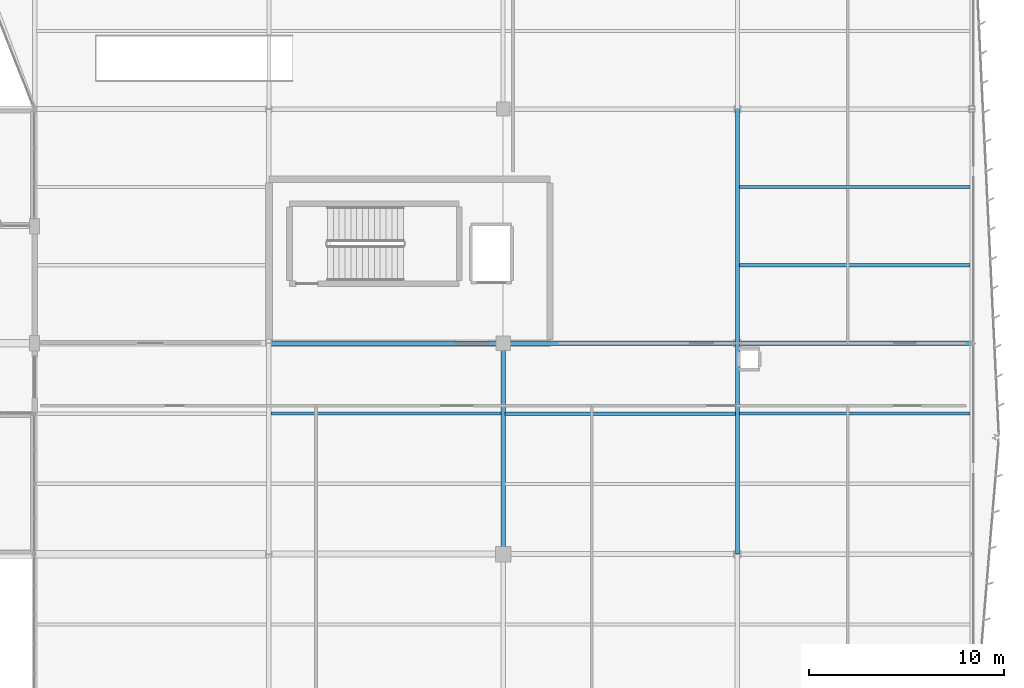
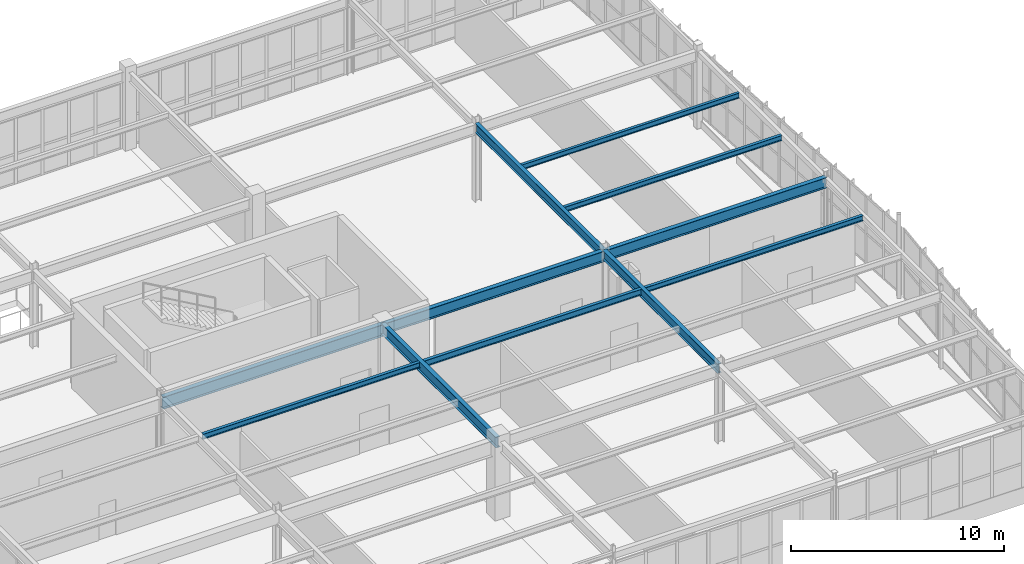
# One storey, part 112 of 226: 11 beams.
"""IFC4 building model written with IfcOpenShell, lengths in metres."""

from ifc_helpers import new_model, si_unit, direction, frame, origin, origin_2d, place, context, subcontext, project, spatial, i_section, extrude, material, material_profile, profile_set, type_object, element, save


model = new_model("IFC4")

# Units and contexts
model_context = context("Model", 3, precision=1e-05, world=origin(), true_north=direction((0.0, 1.0)))
body_context = subcontext(model_context, "Body", "Model", "MODEL_VIEW")
ifc_project = project(units=[si_unit("LENGTHUNIT", "METRE"), si_unit("AREAUNIT", "SQUARE_METRE"), si_unit("VOLUMEUNIT", "CUBIC_METRE"), si_unit("PLANEANGLEUNIT", "RADIAN"), si_unit("MASSUNIT", "GRAM", prefix="KILO")], contexts=[model_context])

# Site, building, storey
site_placement = place(None, origin())
site = spatial("IfcSite", under=ifc_project, at=site_placement, CompositionType="ELEMENT")
building_placement = place(site_placement, origin())
building = spatial("IfcBuilding", under=site, at=building_placement, Name="Tarnwether General Hospital", CompositionType="ELEMENT")
storey_placement = place(building_placement, frame((0.0, 0.0, 4.800048828125)))
storey = spatial("IfcBuildingStorey", under=building, at=storey_placement, Name="L01", CompositionType="ELEMENT", Elevation=4.800048828125)

# Beams
ifc_material_1 = material(Name="Steel Grade 350 (350 MPa)", Category="steel")
ifc_material_profile_1 = material_profile(ifc_material_1, i_section(OverallWidth=0.25, OverallDepth=0.69189453125, WebThickness=0.009033203125, FlangeThickness=0.01611328125, at=origin_2d()), Name="700WB115")
ifc_profile_set_1 = profile_set([ifc_material_profile_1], Name="Steel Grade 350 (350 MPa)")
beam_type_1 = type_object("IfcBeamType", Name="BM-G02", PredefinedType="BEAM", material=ifc_profile_set_1)
beam_1_placement = place(storey_placement, frame((156.0, 21.60009765625, 4.098876953125), z_axis=(1.0, 0.0, 0.0), x_axis=(0.0, 1.0, 0.0)))
element("IfcBeam", 1, at=beam_1_placement, inside=storey, type_object=beam_type_1, Name="Primary Girder BMG-L01-15600_2160-16800_2160-1235", PredefinedType="BEAM", context=body_context, shape_type="SweptSolid", body=[
    extrude(i_section(OverallWidth=0.25, OverallDepth=0.69189453125, WebThickness=0.009033203125, FlangeThickness=0.01611328125, at=origin_2d()), origin(), (0.0, 0.0, 1.0), 12.0),
])
ifc_material_2 = material(Name="Steel Grade 350 (350 MPa)", Category="steel")
ifc_material_profile_2 = material_profile(ifc_material_2, i_section(OverallWidth=0.22900390625, OverallDepth=0.612060546875, WebThickness=0.011962890625, FlangeThickness=0.01953125, at=origin_2d()), Name="610UB125")
ifc_profile_set_2 = profile_set([ifc_material_profile_2], Name="Steel Grade 350 (350 MPa)")
beam_type_2 = type_object("IfcBeamType", Name="BM-G03", PredefinedType="BEAM", material=ifc_profile_set_2)
beam_2_placement = place(storey_placement, frame((168.0, 21.60009765625, 4.138916015625), z_axis=(1.0, 0.0, 0.0), x_axis=(0.0, 1.0, 0.0)))
element("IfcBeam", 2, at=beam_2_placement, inside=storey, type_object=beam_type_2, Name="Primary Girder BMG-L01-16800_2160-18000_2160-1253", PredefinedType="BEAM", context=body_context, shape_type="SweptSolid", body=[
    extrude(i_section(OverallWidth=0.22900390625, OverallDepth=0.612060546875, WebThickness=0.011962890625, FlangeThickness=0.01953125, at=origin_2d()), origin(), (0.0, 0.0, 1.0), 12.0),
])
ifc_material_3 = material(Name="Steel Grade 350 (350 MPa)", Category="steel")
ifc_material_profile_3 = material_profile(ifc_material_3, i_section(OverallWidth=0.22802734375, OverallDepth=0.60693359375, WebThickness=0.01123046875, FlangeThickness=0.017333984375, at=origin_2d()), Name="610UB113")
ifc_profile_set_3 = profile_set([ifc_material_profile_3], Name="Steel Grade 350 (350 MPa)")
beam_type_3 = type_object("IfcBeamType", Name="BM-G04", PredefinedType="BEAM", material=ifc_profile_set_3)
beam_3_placement = place(storey_placement, frame((180.0, 21.60009765625, 4.141357421875), z_axis=(1.0, 0.0, 0.0), x_axis=(0.0, 1.0, 0.0)))
element("IfcBeam", 3, at=beam_3_placement, inside=storey, type_object=beam_type_3, Name="Primary Girder BMG-L01-18000_2160-19200_2160-1269", PredefinedType="BEAM", context=body_context, shape_type="SweptSolid", body=[
    extrude(i_section(OverallWidth=0.22802734375, OverallDepth=0.60693359375, WebThickness=0.01123046875, FlangeThickness=0.017333984375, at=origin_2d()), origin(), (0.0, 0.0, 1.0), 12.0),
])
ifc_material_4 = material(Name="Steel Grade 350 (350 MPa)", Category="steel")
ifc_material_profile_4 = material_profile(ifc_material_4, i_section(OverallWidth=0.22802734375, OverallDepth=0.60205078125, WebThickness=0.010498046875, FlangeThickness=0.014892578125, at=origin_2d()), Name="610UB101")
ifc_profile_set_4 = profile_set([ifc_material_profile_4], Name="Steel Grade 350 (350 MPa)")
beam_type_4 = type_object("IfcBeamType", Name="BM-G05", PredefinedType="BEAM", material=ifc_profile_set_4)
beam_4_placement = place(storey_placement, frame((168.0, 10.800048828125, 4.14404296875), z_axis=(0.0, 1.0, 0.0), x_axis=(-1.0, 0.0, 0.0)))
element("IfcBeam", 4, at=beam_4_placement, inside=storey, type_object=beam_type_4, Name="Primary Girder BMG-L01-16800_1080-16800_2160-1252", PredefinedType="BEAM", context=body_context, shape_type="SweptSolid", body=[
    extrude(i_section(OverallWidth=0.22802734375, OverallDepth=0.60205078125, WebThickness=0.010498046875, FlangeThickness=0.014892578125, at=origin_2d()), origin(), (0.0, 0.0, 1.0), 10.800048828125),
])
ifc_material_5 = material(Name="Steel Grade 350 (350 MPa)", Category="steel")
ifc_material_profile_5 = material_profile(ifc_material_5, i_section(OverallWidth=0.208984375, OverallDepth=0.532958984375, WebThickness=0.01025390625, FlangeThickness=0.015625, at=origin_2d()), Name="530UB92.4")
ifc_profile_set_5 = profile_set([ifc_material_profile_5], Name="Steel Grade 350 (350 MPa)")
beam_type_5 = type_object("IfcBeamType", Name="BM-G06", PredefinedType="BEAM", material=ifc_profile_set_5)
beam_5_placement = place(storey_placement, frame((180.0, 10.800048828125, 4.178466796875), z_axis=(0.0, 1.0, 0.0), x_axis=(-1.0, 0.0, 0.0)))
element("IfcBeam", 5, at=beam_5_placement, inside=storey, type_object=beam_type_5, Name="Primary Girder BMG-L01-18000_1080-18000_2160-1268", PredefinedType="BEAM", context=body_context, shape_type="SweptSolid", body=[
    extrude(i_section(OverallWidth=0.208984375, OverallDepth=0.532958984375, WebThickness=0.01025390625, FlangeThickness=0.015625, at=origin_2d()), origin(), (0.0, 0.0, 1.0), 10.800048828125),
])
ifc_material_6 = material(Name="Steel Grade 350 (350 MPa)", Category="steel")
ifc_material_profile_6 = material_profile(ifc_material_6, i_section(OverallWidth=0.208984375, OverallDepth=0.528076171875, WebThickness=0.009521484375, FlangeThickness=0.01318359375, at=origin_2d()), Name="530UB82.0")
ifc_profile_set_6 = profile_set([ifc_material_profile_6], Name="Steel Grade 350 (350 MPa)")
beam_type_6 = type_object("IfcBeamType", Name="BM-G07", PredefinedType="BEAM", material=ifc_profile_set_6)
beam_6_placement = place(storey_placement, frame((180.0, 21.60009765625, 4.180908203125), z_axis=(0.0, 1.0, 0.0), x_axis=(-1.0, 0.0, 0.0)))
element("IfcBeam", 6, at=beam_6_placement, inside=storey, type_object=beam_type_6, Name="Primary Girder BMG-L01-18000_2160-18000_3360-1270", PredefinedType="BEAM", context=body_context, shape_type="SweptSolid", body=[
    extrude(i_section(OverallWidth=0.208984375, OverallDepth=0.528076171875, WebThickness=0.009521484375, FlangeThickness=0.01318359375, at=origin_2d()), origin(), (0.0, 0.0, 1.0), 12.0),
])
ifc_material_7 = material(Name="Steel Grade 350 (350 MPa)", Category="steel")
ifc_material_profile_7 = material_profile(ifc_material_7, i_section(OverallWidth=0.166015625, OverallDepth=0.306884765625, WebThickness=0.006591796875, FlangeThickness=0.01171875, at=origin_2d()), Name="310UB46.2")
ifc_profile_set_7 = profile_set([ifc_material_profile_7], Name="Steel Grade 350 (350 MPa)")
beam_type_7 = type_object("IfcBeamType", Name="BM-J05", PredefinedType="JOIST", material=ifc_profile_set_7)
beam_7_placement = place(storey_placement, frame((156.10791015625, 18.0, 4.29150390625), z_axis=(1.0, 0.0, 0.0), x_axis=(0.0, 1.0, 0.0)))
element("IfcBeam", 7, at=beam_7_placement, inside=storey, type_object=beam_type_7, Name="Composite Floor Joist BMG-L01-15611_1800-16789_1800-1404", PredefinedType="JOIST", context=body_context, shape_type="SweptSolid", body=[
    extrude(i_section(OverallWidth=0.166015625, OverallDepth=0.306884765625, WebThickness=0.006591796875, FlangeThickness=0.01171875, at=origin_2d()), origin(), (0.0, 0.0, 1.0), 11.7841796875),
])
ifc_material_8 = material(Name="Steel Grade 350 (350 MPa)", Category="steel")
ifc_material_profile_8 = material_profile(ifc_material_8, i_section(OverallWidth=0.1708984375, OverallDepth=0.35205078125, WebThickness=0.0068359375, FlangeThickness=0.009765625, at=origin_2d()), Name="360UB44.7")
ifc_profile_set_8 = profile_set([ifc_material_profile_8], Name="Steel Grade 350 (350 MPa)")
beam_type_8 = type_object("IfcBeamType", Name="BM-J06", PredefinedType="JOIST", material=ifc_profile_set_8)
beam_8_placement = place(storey_placement, frame((168.10791015625, 18.0, 4.26904296875), z_axis=(1.0, 0.0, 0.0), x_axis=(0.0, 1.0, 0.0)))
element("IfcBeam", 8, at=beam_8_placement, inside=storey, type_object=beam_type_8, Name="Composite Floor Joist BMG-L01-16811_1800-17990_1800-1416", PredefinedType="JOIST", context=body_context, shape_type="SweptSolid", body=[
    extrude(i_section(OverallWidth=0.1708984375, OverallDepth=0.35205078125, WebThickness=0.0068359375, FlangeThickness=0.009765625, at=origin_2d()), origin(), (0.0, 0.0, 1.0), 11.79296875),
])
ifc_material_9 = material(Name="Steel Grade 350 (350 MPa)", Category="steel")
ifc_material_profile_9 = material_profile(ifc_material_9, i_section(OverallWidth=0.1650390625, OverallDepth=0.303955078125, WebThickness=0.006103515625, FlangeThickness=0.01025390625, at=origin_2d()), Name="310UB40.4")
ifc_profile_set_9 = profile_set([ifc_material_profile_9], Name="Steel Grade 350 (350 MPa)")
beam_type_9 = type_object("IfcBeamType", Name="BM-J07", PredefinedType="JOIST", material=ifc_profile_set_9)
beam_9_placement = place(storey_placement, frame((180.09912109375, 18.0, 4.29296875), z_axis=(1.0, 0.0, 0.0), x_axis=(0.0, 1.0, 0.0)))
element("IfcBeam", 9, at=beam_9_placement, inside=storey, type_object=beam_type_9, Name="Composite Floor Joist BMG-L01-18010_1800-19192_1800-1428", PredefinedType="JOIST", context=body_context, shape_type="SweptSolid", body=[
    extrude(i_section(OverallWidth=0.1650390625, OverallDepth=0.303955078125, WebThickness=0.006103515625, FlangeThickness=0.01025390625, at=origin_2d()), origin(), (0.0, 0.0, 1.0), 11.81787109375),
])
beam_10_placement = place(storey_placement, frame((180.09912109375, 25.60009765625, 4.29296875), z_axis=(1.0, 0.0, 0.0), x_axis=(0.0, 1.0, 0.0)))
element("IfcBeam", 10, at=beam_10_placement, inside=storey, type_object=beam_type_9, Name="Composite Floor Joist BMG-L01-18010_2560-19191_2560-1429", PredefinedType="JOIST", context=body_context, shape_type="SweptSolid", body=[
    extrude(i_section(OverallWidth=0.1650390625, OverallDepth=0.303955078125, WebThickness=0.006103515625, FlangeThickness=0.01025390625, at=origin_2d()), origin(), (0.0, 0.0, 1.0), 11.806884765625),
])
ifc_material_10 = material(Name="Steel Grade 350 (350 MPa)", Category="steel")
ifc_material_profile_10 = material_profile(ifc_material_10, i_section(OverallWidth=0.14892578125, OverallDepth=0.298095703125, WebThickness=0.005615234375, FlangeThickness=0.008056640625, at=origin_2d()), Name="310UB32.0")
ifc_profile_set_10 = profile_set([ifc_material_profile_10], Name="Steel Grade 350 (350 MPa)")
beam_type_10 = type_object("IfcBeamType", Name="BM-J08", PredefinedType="JOIST", material=ifc_profile_set_10)
beam_11_placement = place(storey_placement, frame((180.09912109375, 29.60009765625, 4.2958984375), z_axis=(1.0, 0.0, 0.0), x_axis=(0.0, 1.0, 0.0)))
element("IfcBeam", 11, at=beam_11_placement, inside=storey, type_object=beam_type_10, Name="Composite Floor Joist BMG-L01-18010_2960-19191_2960-1430", PredefinedType="JOIST", context=body_context, shape_type="SweptSolid", body=[
    extrude(i_section(OverallWidth=0.14892578125, OverallDepth=0.298095703125, WebThickness=0.005615234375, FlangeThickness=0.008056640625, at=origin_2d()), origin(), (0.0, 0.0, 1.0), 11.806884765625),
])

save(model, "model.ifc")
